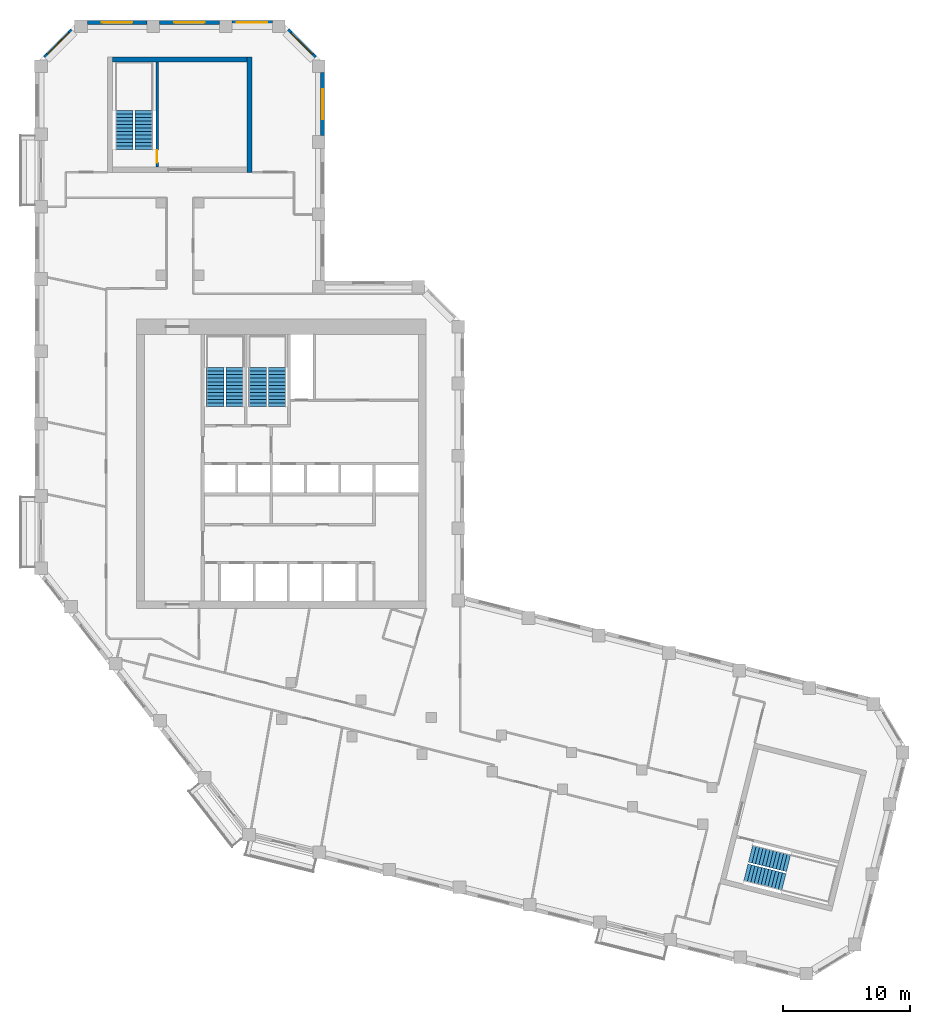
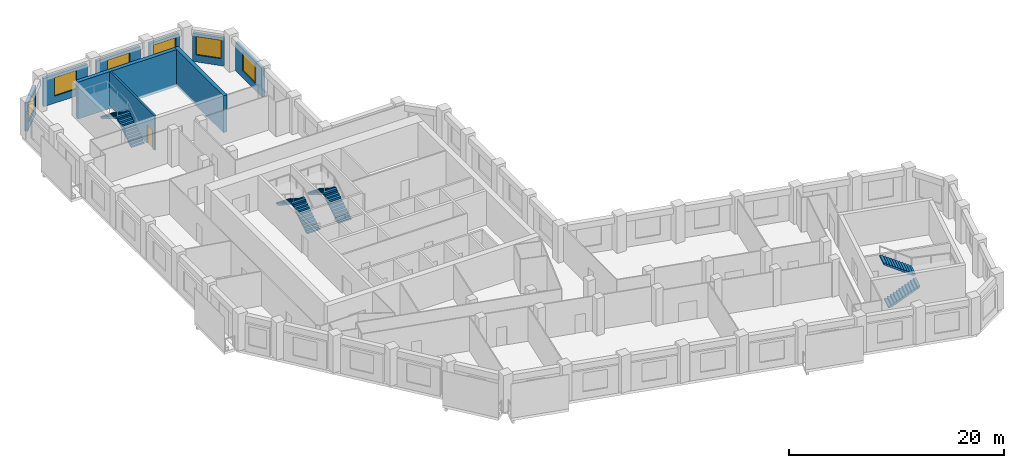
# One storey, part 8 of 9: 9 walls, 8 stair flights, 6 windows, 1 door, 7 openings, 4 elements without a shape of their own.
"""IFC4 building model written with IfcOpenShell, lengths in metres."""

from ifc_helpers import new_model, si_unit, direction, frame, frame_2d, origin, place, context, subcontext, project, spatial, polyline, rectangle, outline, extrude, material, layer, layer_set, type_object, element, fill, aggregate, save


model = new_model("IFC4")

# Units and contexts
model_context = context("Model", 3, precision=1e-05, world=origin(), true_north=direction((0.0, 1.0)))
body_context = subcontext(model_context, "Body", "Model", "MODEL_VIEW")
ifc_project = project(units=[si_unit("LENGTHUNIT", "METRE"), si_unit("AREAUNIT", "SQUARE_METRE"), si_unit("VOLUMEUNIT", "CUBIC_METRE"), si_unit("PLANEANGLEUNIT", "RADIAN"), si_unit("MASSUNIT", "GRAM", prefix="KILO")], contexts=[model_context])

# Site, building, storey
site_placement = place(None, origin())
site = spatial("IfcSite", under=ifc_project, at=site_placement, CompositionType="ELEMENT")
building_placement = place(site_placement, origin())
building = spatial("IfcBuilding", under=site, at=building_placement, Name="Meshkara Civic Tower", CompositionType="ELEMENT")
storey_placement = place(building_placement, frame((0.0, 0.0, 294.0)))
storey = spatial("IfcBuildingStorey", under=building, at=storey_placement, Name="L67", CompositionType="ELEMENT", Elevation=294.0)

# Wall, opening, window
ifc_material_1 = material(Name="Insulated infill panel with bronze anodised aluminium cladding", Category="aluminium")
ifc_layer_1 = layer(ifc_material_1, 0.300048828125)
ifc_layer_set_1 = layer_set([ifc_layer_1], Name="EXTERNAL INFILL WALL 300")
wall_type_1 = type_object("IfcWallType", Name="EXTERNAL INFILL WALL 300", PredefinedType="SOLIDWALL", material=ifc_layer_set_1)
wall_1_placement = place(storey_placement, frame((22.64990234375, 51.35009765625, 0.0), z_axis=(0.0, 0.0, 1.0), x_axis=(0.0, 1.0, 0.0)))
wall_1 = element("IfcWall", 1, at=wall_1_placement, inside=storey, type_object=wall_type_1, Name="External wall", PredefinedType="SOLIDWALL", context=body_context, shape_type="SweptSolid", body=[
    extrude(rectangle(XDim=4.9638671875, YDim=0.300048828125, at=frame_2d((2.48193359375, 0.0))), origin(), (0.0, 0.0, 1.0), 3.199951171875),
])
opening_1_placement = place(wall_1_placement, frame((1.281982421875, 0.0, 0.800048828125)))
opening_1 = element("IfcOpeningElement", 2, at=opening_1_placement, cuts=wall_1, Name="Opening W7", PredefinedType="OPENING", context=body_context, shape_type="SweptSolid", body=[
    extrude(rectangle(XDim=2.39990234375, YDim=2.10009765625, at=frame_2d((1.199951171875, 1.050048828125))), frame((0.0, 0.159912109375, 0.0), z_axis=(0.0, -1.0, 0.0), x_axis=(1.0, 0.0, 0.0)), (0.0, 0.0, 1.0), 0.320068359375),
])
ifc_material_2 = material(Name="Tinted double glazing", Category="glass")
window_type = type_object("IfcWindowType", Name="WINDOW 2400x2100", PartitioningType="DOUBLE_PANEL_VERTICAL", PredefinedType="WINDOW", material=ifc_material_2)
window_1_placement = place(opening_1_placement, origin())
window_1 = element("IfcWindow", 3, at=window_1_placement, inside=storey, type_object=window_type, Name="Window", OverallHeight=2.10009765625, OverallWidth=2.39990234375, PartitioningType="DOUBLE_PANEL_VERTICAL", PredefinedType="WINDOW", context=body_context, shape_type="SweptSolid", body=[
    extrude(rectangle(XDim=2.39990234375, YDim=2.10009765625, at=frame_2d((1.199951171875, 1.050048828125))), frame((0.0, 0.030029296875, 0.0), z_axis=(0.0, -1.0, 0.0), x_axis=(1.0, 0.0, 0.0)), (0.0, 0.0, 1.0), 0.06005859375),
])
fill(opening_1, window_1)

wall_2_placement = place(storey_placement, frame((22.06201171875, 57.52587890625, 0.0), z_axis=(0.0, 0.0, 1.0), x_axis=(-0.707106781187, 0.707106781187, 0.0)))
wall_2 = element("IfcWall", 4, at=wall_2_placement, inside=storey, type_object=wall_type_1, Name="External wall", PredefinedType="SOLIDWALL", context=body_context, shape_type="SweptSolid", body=[
    extrude(rectangle(XDim=3.049072265625, YDim=0.300048828125, at=frame_2d((1.5244140625, 0.0))), origin(), (0.0, 0.0, 1.0), 3.199951171875),
])
opening_2_placement = place(wall_2_placement, frame((0.324951171875, 0.0, 0.800048828125)))
opening_2 = element("IfcOpeningElement", 5, at=opening_2_placement, cuts=wall_2, Name="Opening W7", PredefinedType="OPENING", context=body_context, shape_type="SweptSolid", body=[
    extrude(rectangle(XDim=2.39990234375, YDim=2.10009765625, at=frame_2d((1.199951171875, 1.050048828125))), frame((0.0, 0.159912109375, 0.0), z_axis=(0.0, -1.0, 0.0), x_axis=(1.0, 0.0, 0.0)), (0.0, 0.0, 1.0), 0.320068359375),
])
window_2_placement = place(opening_2_placement, origin())
window_2 = element("IfcWindow", 6, at=window_2_placement, inside=storey, type_object=window_type, Name="Window", OverallHeight=2.10009765625, OverallWidth=2.39990234375, PartitioningType="DOUBLE_PANEL_VERTICAL", PredefinedType="WINDOW", context=body_context, shape_type="SweptSolid", body=[
    extrude(rectangle(XDim=2.39990234375, YDim=2.10009765625, at=frame_2d((1.199951171875, 1.050048828125))), frame((0.0, 0.030029296875, 0.0), z_axis=(0.0, -1.0, 0.0), x_axis=(1.0, 0.0, 0.0)), (0.0, 0.0, 1.0), 0.06005859375),
])
fill(opening_2, window_2)

wall_3_placement = place(storey_placement, frame((18.694091796875, 60.27001953125, 0.0), z_axis=(0.0, 0.0, 1.0), x_axis=(-1.0, 0.0, 0.0)))
wall_3 = element("IfcWall", 7, at=wall_3_placement, inside=storey, type_object=wall_type_1, Name="External wall", PredefinedType="SOLIDWALL", context=body_context, shape_type="SweptSolid", body=[
    extrude(rectangle(XDim=3.18798828125, YDim=0.300048828125, at=frame_2d((1.593994140625, 0.0))), origin(), (0.0, 0.0, 1.0), 3.199951171875),
])
opening_3_placement = place(wall_3_placement, frame((0.39404296875, 0.0, 0.800048828125)))
opening_3 = element("IfcOpeningElement", 8, at=opening_3_placement, cuts=wall_3, Name="Opening W7", PredefinedType="OPENING", context=body_context, shape_type="SweptSolid", body=[
    extrude(rectangle(XDim=2.39990234375, YDim=2.10009765625, at=frame_2d((1.199951171875, 1.050048828125))), frame((0.0, 0.159912109375, 0.0), z_axis=(0.0, -1.0, 0.0), x_axis=(1.0, 0.0, 0.0)), (0.0, 0.0, 1.0), 0.320068359375),
])
window_3_placement = place(opening_3_placement, origin())
window_3 = element("IfcWindow", 9, at=window_3_placement, inside=storey, type_object=window_type, Name="Window", OverallHeight=2.10009765625, OverallWidth=2.39990234375, PartitioningType="DOUBLE_PANEL_VERTICAL", PredefinedType="WINDOW", context=body_context, shape_type="SweptSolid", body=[
    extrude(rectangle(XDim=2.39990234375, YDim=2.10009765625, at=frame_2d((1.199951171875, 1.050048828125))), frame((0.0, 0.030029296875, 0.0), z_axis=(0.0, -1.0, 0.0), x_axis=(1.0, 0.0, 0.0)), (0.0, 0.0, 1.0), 0.06005859375),
])
fill(opening_3, window_3)

wall_4_placement = place(storey_placement, frame((14.506103515625, 60.27001953125, 0.0), z_axis=(0.0, 0.0, 1.0), x_axis=(-1.0, 0.0, 0.0)))
wall_4 = element("IfcWall", 10, at=wall_4_placement, inside=storey, type_object=wall_type_1, Name="External wall", PredefinedType="SOLIDWALL", context=body_context, shape_type="SweptSolid", body=[
    extrude(rectangle(XDim=4.7001953125, YDim=0.300048828125, at=frame_2d((2.35009765625, 0.0))), origin(), (0.0, 0.0, 1.0), 3.199951171875),
])
opening_4_placement = place(wall_4_placement, frame((1.14990234375, 0.0, 0.800048828125)))
opening_4 = element("IfcOpeningElement", 11, at=opening_4_placement, cuts=wall_4, Name="Opening W7", PredefinedType="OPENING", context=body_context, shape_type="SweptSolid", body=[
    extrude(rectangle(XDim=2.39990234375, YDim=2.10009765625, at=frame_2d((1.199951171875, 1.050048828125))), frame((0.0, 0.159912109375, 0.0), z_axis=(0.0, -1.0, 0.0), x_axis=(1.0, 0.0, 0.0)), (0.0, 0.0, 1.0), 0.320068359375),
])
window_4_placement = place(opening_4_placement, origin())
window_4 = element("IfcWindow", 12, at=window_4_placement, inside=storey, type_object=window_type, Name="Window", OverallHeight=2.10009765625, OverallWidth=2.39990234375, PartitioningType="DOUBLE_PANEL_VERTICAL", PredefinedType="WINDOW", context=body_context, shape_type="SweptSolid", body=[
    extrude(rectangle(XDim=2.39990234375, YDim=2.10009765625, at=frame_2d((1.199951171875, 1.050048828125))), frame((0.0, 0.030029296875, 0.0), z_axis=(0.0, -1.0, 0.0), x_axis=(1.0, 0.0, 0.0)), (0.0, 0.0, 1.0), 0.06005859375),
])
fill(opening_4, window_4)

wall_5_placement = place(storey_placement, frame((8.805908203125, 60.27001953125, 0.0), z_axis=(0.0, 0.0, 1.0), x_axis=(-1.0, 0.0, 0.0)))
wall_5 = element("IfcWall", 13, at=wall_5_placement, inside=storey, type_object=wall_type_1, Name="External wall", PredefinedType="SOLIDWALL", context=body_context, shape_type="SweptSolid", body=[
    extrude(rectangle(XDim=4.699951171875, YDim=0.300048828125, at=frame_2d((2.35009765625, 0.0))), origin(), (0.0, 0.0, 1.0), 3.199951171875),
])
opening_5_placement = place(wall_5_placement, frame((1.14990234375, 0.0, 0.800048828125)))
opening_5 = element("IfcOpeningElement", 14, at=opening_5_placement, cuts=wall_5, Name="Opening W7", PredefinedType="OPENING", context=body_context, shape_type="SweptSolid", body=[
    extrude(rectangle(XDim=2.39990234375, YDim=2.10009765625, at=frame_2d((1.199951171875, 1.050048828125))), frame((0.0, 0.159912109375, 0.0), z_axis=(0.0, -1.0, 0.0), x_axis=(1.0, 0.0, 0.0)), (0.0, 0.0, 1.0), 0.320068359375),
])
window_5_placement = place(opening_5_placement, origin())
window_5 = element("IfcWindow", 15, at=window_5_placement, inside=storey, type_object=window_type, Name="Window", OverallHeight=2.10009765625, OverallWidth=2.39990234375, PartitioningType="DOUBLE_PANEL_VERTICAL", PredefinedType="WINDOW", context=body_context, shape_type="SweptSolid", body=[
    extrude(rectangle(XDim=2.39990234375, YDim=2.10009765625, at=frame_2d((1.199951171875, 1.050048828125))), frame((0.0, 0.030029296875, 0.0), z_axis=(0.0, -1.0, 0.0), x_axis=(1.0, 0.0, 0.0)), (0.0, 0.0, 1.0), 0.06005859375),
])
fill(opening_5, window_5)

wall_6_placement = place(storey_placement, frame((2.89404296875, 59.681884765625, 0.0), z_axis=(0.0, 0.0, 1.0), x_axis=(-0.707106781187, -0.707106781187, 0.0)))
wall_6 = element("IfcWall", 16, at=wall_6_placement, inside=storey, type_object=wall_type_1, Name="External wall", PredefinedType="SOLIDWALL", context=body_context, shape_type="SweptSolid", body=[
    extrude(rectangle(XDim=3.049072265625, YDim=0.300048828125, at=frame_2d((1.5244140625, 0.0))), origin(), (0.0, 0.0, 1.0), 3.199951171875),
])
opening_6_placement = place(wall_6_placement, frame((0.324951171875, 0.0, 0.800048828125)))
opening_6 = element("IfcOpeningElement", 17, at=opening_6_placement, cuts=wall_6, Name="Opening W7", PredefinedType="OPENING", context=body_context, shape_type="SweptSolid", body=[
    extrude(rectangle(XDim=2.39990234375, YDim=2.10009765625, at=frame_2d((1.199951171875, 1.050048828125))), frame((0.0, 0.159912109375, 0.0), z_axis=(0.0, -1.0, 0.0), x_axis=(1.0, 0.0, 0.0)), (0.0, 0.0, 1.0), 0.320068359375),
])
window_6_placement = place(opening_6_placement, origin())
window_6 = element("IfcWindow", 18, at=window_6_placement, inside=storey, type_object=window_type, Name="Window", OverallHeight=2.10009765625, OverallWidth=2.39990234375, PartitioningType="DOUBLE_PANEL_VERTICAL", PredefinedType="WINDOW", context=body_context, shape_type="SweptSolid", body=[
    extrude(rectangle(XDim=2.39990234375, YDim=2.10009765625, at=frame_2d((1.199951171875, 1.050048828125))), frame((0.0, 0.030029296875, 0.0), z_axis=(0.0, -1.0, 0.0), x_axis=(1.0, 0.0, 0.0)), (0.0, 0.0, 1.0), 0.06005859375),
])
fill(opening_6, window_6)

# Walls
ifc_material_3 = material(Name="Concrete C60", Category="concrete")
ifc_layer_2 = layer(ifc_material_3, 0.39990234375)
ifc_layer_set_2 = layer_set([ifc_layer_2], Name="End core ring wall 400 C60")
wall_type_2 = type_object("IfcWallType", Name="End core ring wall 400 C60", PredefinedType="SHEAR", material=ifc_layer_set_2)
wall_7_placement = place(storey_placement, frame((16.89990234375, 48.469970703125, -0.300048828125), z_axis=(0.0, 0.0, 1.0), x_axis=(0.0, 1.0, 0.0)))
element("IfcWall", 19, at=wall_7_placement, inside=storey, type_object=wall_type_2, Name="L67-C027", PredefinedType="SHEAR", context=body_context, shape_type="SweptSolid", body=[
    extrude(rectangle(XDim=9.10009765625, YDim=0.39990234375, at=frame_2d((4.550048828125, 0.0))), origin(), (0.0, 0.0, 1.0), 4.199951171875),
])
wall_8_placement = place(storey_placement, frame((6.10009765625, 57.3701171875, -0.300048828125), z_axis=(0.0, 0.0, 1.0), x_axis=(1.0, 0.0, 0.0)))
element("IfcWall", 20, at=wall_8_placement, inside=storey, type_object=wall_type_2, Name="L67-C029", PredefinedType="SHEAR", context=body_context, shape_type="SweptSolid", body=[
    extrude(rectangle(XDim=10.599853515625, YDim=0.39990234375, at=frame_2d((5.2998046875, 0.0))), origin(), (0.0, 0.0, 1.0), 4.199951171875),
])

# Wall, opening, door
ifc_material_4 = material(Name="Concrete C40/50", Category="concrete")
ifc_layer_3 = layer(ifc_material_4, 0.199951171875)
ifc_layer_set_3 = layer_set([ifc_layer_3], Name="Stair enclosure wall 200 C40/50")
wall_type_3 = type_object("IfcWallType", Name="Stair enclosure wall 200 C40/50", PredefinedType="SOLIDWALL", material=ifc_layer_set_3)
wall_9_placement = place(storey_placement, frame((9.60009765625, 48.8701171875, 0.0), z_axis=(0.0, 0.0, 1.0), x_axis=(0.0, 1.0, 0.0)))
wall_9 = element("IfcWall", 21, at=wall_9_placement, inside=storey, type_object=wall_type_3, Name="L67-C030", PredefinedType="SOLIDWALL", context=body_context, shape_type="SweptSolid", body=[
    extrude(rectangle(XDim=8.2998046875, YDim=0.199951171875, at=frame_2d((4.14990234375, 0.0))), origin(), (0.0, 0.0, 1.0), 3.89990234375),
])
opening_7_placement = place(wall_9_placement, frame((0.35009765625, 0.0, 0.0)))
opening_7 = element("IfcOpeningElement", 22, at=opening_7_placement, cuts=wall_9, Name="Opening L67-K101", PredefinedType="OPENING", context=body_context, shape_type="SweptSolid", body=[
    extrude(rectangle(XDim=1.0, YDim=2.10009765625, at=frame_2d((0.5, 1.050048828125))), frame((0.0, 0.10986328125, 0.0), z_axis=(0.0, -1.0, 0.0), x_axis=(1.0, 0.0, 0.0)), (0.0, 0.0, 1.0), 0.219970703125),
])
ifc_material_5 = material(Name="Fire-rated door leaf in steel frame", Category="steel")
door_type = type_object("IfcDoorType", Name="Stair door 1000 EI 120", OperationType="SINGLE_SWING_LEFT", PredefinedType="DOOR", material=ifc_material_5)
door_placement = place(opening_7_placement, origin())
door = element("IfcDoor", 23, at=door_placement, inside=storey, type_object=door_type, Name="L67-K101", OperationType="SINGLE_SWING_RIGHT", OverallHeight=2.10009765625, OverallWidth=1.0, PredefinedType="DOOR", context=body_context, shape_type="SweptSolid", body=[
    extrude(rectangle(XDim=1.0, YDim=2.10009765625, at=frame_2d((0.5, 1.050048828125))), frame((0.0, 0.02490234375, 0.0), z_axis=(0.0, -1.0, 0.0), x_axis=(1.0, 0.0, 0.0)), (0.0, 0.0, 1.0), 0.050048828125),
])
fill(opening_7, door)

# Stair, stair flights
ifc_material_6 = material(Name="Precast concrete C40/50", Category="concrete")
stair_type = type_object("IfcStairType", Name="Exit stair half-turn 24 risers precast", PredefinedType="HALF_TURN_STAIR", material=ifc_material_6)
stair_1_placement = place(storey_placement, origin())
stair_1 = element("IfcStair", 24, at=stair_1_placement, inside=storey, type_object=stair_type, Name="L67 exit stair 1", PredefinedType="HALF_TURN_STAIR")
ifc_material_7 = material(Name="Precast concrete C40/50", Category="concrete")
stair_flight_type = type_object("IfcStairFlightType", Name="Exit stair flight 12 risers precast", PredefinedType="STRAIGHT", material=ifc_material_7)
stair_flight_1_placement = place(storey_placement, frame((15.72509765625, 30.0, 0.0), z_axis=(0.0, 0.0, 1.0), x_axis=(0.0, 1.0, 0.0)))
stair_flight_1 = element("IfcStairFlight", 25, at=stair_flight_1_placement, type_object=stair_flight_type, Name="ST1 flight 1", NumberOfRisers=12, NumberOfTreads=11, PredefinedType="STRAIGHT", RiserHeight=0.175, TreadLength=0.28, context=body_context, shape_type="SweptSolid", body=[
    extrude(outline(polyline([(0.0, 0.0), (0.0, 0.175048828125), (0.280029296875, 0.175048828125), (0.280029296875, 0.35009765625), (0.56005859375, 0.35009765625), (0.56005859375, 0.52490234375), (0.840087890625, 0.52490234375), (0.840087890625, 0.699951171875), (1.1201171875, 0.699951171875), (1.1201171875, 0.875), (1.39990234375, 0.875), (1.39990234375, 1.050048828125), (1.679931640625, 1.050048828125), (1.679931640625, 1.22509765625), (1.9599609375, 1.22509765625), (1.9599609375, 1.39990234375), (2.239990234375, 1.39990234375), (2.239990234375, 1.574951171875), (2.52001953125, 1.574951171875), (2.52001953125, 1.75), (2.800048828125, 1.75), (2.800048828125, 1.925048828125), (3.080078125, 1.925048828125), (3.080078125, 2.10009765625), (3.080078125, 1.748291015625), (0.28271484375, 0.0), (0.0, 0.0)])), frame((0.0, 0.699951171875, 0.0), z_axis=(0.0, -1.0, 0.0), x_axis=(1.0, 0.0, 0.0)), (0.0, 0.0, 1.0), 1.39990234375),
])
stair_flight_2_placement = place(storey_placement, frame((14.175048828125, 33.080078125, 2.10009765625), z_axis=(0.0, 0.0, 1.0), x_axis=(0.0, -1.0, 0.0)))
stair_flight_2 = element("IfcStairFlight", 26, at=stair_flight_2_placement, type_object=stair_flight_type, Name="ST1 flight 2", NumberOfRisers=12, NumberOfTreads=11, PredefinedType="STRAIGHT", RiserHeight=0.175, TreadLength=0.28, context=body_context, shape_type="SweptSolid", body=[
    extrude(outline(polyline([(0.0, 0.0), (0.0, 0.175048828125), (0.280029296875, 0.175048828125), (0.280029296875, 0.35009765625), (0.56005859375, 0.35009765625), (0.56005859375, 0.52490234375), (0.840087890625, 0.52490234375), (0.840087890625, 0.699951171875), (1.1201171875, 0.699951171875), (1.1201171875, 0.875), (1.39990234375, 0.875), (1.39990234375, 1.050048828125), (1.679931640625, 1.050048828125), (1.679931640625, 1.22509765625), (1.9599609375, 1.22509765625), (1.9599609375, 1.39990234375), (2.239990234375, 1.39990234375), (2.239990234375, 1.574951171875), (2.52001953125, 1.574951171875), (2.52001953125, 1.75), (2.800048828125, 1.75), (2.800048828125, 1.925048828125), (3.080078125, 1.925048828125), (3.080078125, 2.10009765625), (3.080078125, 1.748291015625), (0.28271484375, 0.0), (0.0, 0.0)])), frame((0.0, 0.699951171875, 0.0), z_axis=(0.0, -1.0, 0.0), x_axis=(1.0, 0.0, 0.0)), (0.0, 0.0, 1.0), 1.39990234375),
])
aggregate(stair_1, [stair_flight_1, stair_flight_2])

stair_2_placement = place(storey_placement, origin())
stair_2 = element("IfcStair", 27, at=stair_2_placement, inside=storey, type_object=stair_type, Name="L67 exit stair 2", PredefinedType="HALF_TURN_STAIR")
stair_flight_3_placement = place(storey_placement, frame((19.074951171875, 30.0, 0.0), z_axis=(0.0, 0.0, 1.0), x_axis=(0.0, 1.0, 0.0)))
stair_flight_3 = element("IfcStairFlight", 28, at=stair_flight_3_placement, type_object=stair_flight_type, Name="ST2 flight 1", NumberOfRisers=12, NumberOfTreads=11, PredefinedType="STRAIGHT", RiserHeight=0.175, TreadLength=0.28, context=body_context, shape_type="SweptSolid", body=[
    extrude(outline(polyline([(0.0, 0.0), (0.0, 0.175048828125), (0.280029296875, 0.175048828125), (0.280029296875, 0.35009765625), (0.56005859375, 0.35009765625), (0.56005859375, 0.52490234375), (0.840087890625, 0.52490234375), (0.840087890625, 0.699951171875), (1.1201171875, 0.699951171875), (1.1201171875, 0.875), (1.39990234375, 0.875), (1.39990234375, 1.050048828125), (1.679931640625, 1.050048828125), (1.679931640625, 1.22509765625), (1.9599609375, 1.22509765625), (1.9599609375, 1.39990234375), (2.239990234375, 1.39990234375), (2.239990234375, 1.574951171875), (2.52001953125, 1.574951171875), (2.52001953125, 1.75), (2.800048828125, 1.75), (2.800048828125, 1.925048828125), (3.080078125, 1.925048828125), (3.080078125, 2.10009765625), (3.080078125, 1.748291015625), (0.28271484375, 0.0), (0.0, 0.0)])), frame((0.0, 0.699951171875, 0.0), z_axis=(0.0, -1.0, 0.0), x_axis=(1.0, 0.0, 0.0)), (0.0, 0.0, 1.0), 1.39990234375),
])
stair_flight_4_placement = place(storey_placement, frame((17.52490234375, 33.080078125, 2.10009765625), z_axis=(0.0, 0.0, 1.0), x_axis=(0.0, -1.0, 0.0)))
stair_flight_4 = element("IfcStairFlight", 29, at=stair_flight_4_placement, type_object=stair_flight_type, Name="ST2 flight 2", NumberOfRisers=12, NumberOfTreads=11, PredefinedType="STRAIGHT", RiserHeight=0.175, TreadLength=0.28, context=body_context, shape_type="SweptSolid", body=[
    extrude(outline(polyline([(0.0, 0.0), (0.0, 0.175048828125), (0.280029296875, 0.175048828125), (0.280029296875, 0.35009765625), (0.56005859375, 0.35009765625), (0.56005859375, 0.52490234375), (0.840087890625, 0.52490234375), (0.840087890625, 0.699951171875), (1.1201171875, 0.699951171875), (1.1201171875, 0.875), (1.39990234375, 0.875), (1.39990234375, 1.050048828125), (1.679931640625, 1.050048828125), (1.679931640625, 1.22509765625), (1.9599609375, 1.22509765625), (1.9599609375, 1.39990234375), (2.239990234375, 1.39990234375), (2.239990234375, 1.574951171875), (2.52001953125, 1.574951171875), (2.52001953125, 1.75), (2.800048828125, 1.75), (2.800048828125, 1.925048828125), (3.080078125, 1.925048828125), (3.080078125, 2.10009765625), (3.080078125, 1.748291015625), (0.28271484375, 0.0), (0.0, 0.0)])), frame((0.0, 0.699951171875, 0.0), z_axis=(0.0, -1.0, 0.0), x_axis=(1.0, 0.0, 0.0)), (0.0, 0.0, 1.0), 1.39990234375),
])
aggregate(stair_2, [stair_flight_3, stair_flight_4])

stair_3_placement = place(storey_placement, origin())
stair_3 = element("IfcStair", 30, at=stair_3_placement, inside=storey, type_object=stair_type, Name="L67 exit stair A from L65", PredefinedType="HALF_TURN_STAIR")
stair_flight_5_placement = place(storey_placement, frame((8.574951171875, 50.27001953125, 0.0), z_axis=(0.0, 0.0, 1.0), x_axis=(0.0, 1.0, 0.0)))
stair_flight_5 = element("IfcStairFlight", 31, at=stair_flight_5_placement, type_object=stair_flight_type, Name="ESA5 flight 1", NumberOfRisers=12, NumberOfTreads=11, PredefinedType="STRAIGHT", RiserHeight=0.175, TreadLength=0.28, context=body_context, shape_type="SweptSolid", body=[
    extrude(outline(polyline([(0.0, 0.0), (0.0, 0.175048828125), (0.280029296875, 0.175048828125), (0.280029296875, 0.35009765625), (0.56005859375, 0.35009765625), (0.56005859375, 0.52490234375), (0.840087890625, 0.52490234375), (0.840087890625, 0.699951171875), (1.1201171875, 0.699951171875), (1.1201171875, 0.875), (1.39990234375, 0.875), (1.39990234375, 1.050048828125), (1.679931640625, 1.050048828125), (1.679931640625, 1.22509765625), (1.9599609375, 1.22509765625), (1.9599609375, 1.39990234375), (2.239990234375, 1.39990234375), (2.239990234375, 1.574951171875), (2.52001953125, 1.574951171875), (2.52001953125, 1.75), (2.800048828125, 1.75), (2.800048828125, 1.925048828125), (3.080078125, 1.925048828125), (3.080078125, 2.10009765625), (3.080078125, 1.748291015625), (0.28271484375, 0.0), (0.0, 0.0)])), frame((0.0, 0.699951171875, 0.0), z_axis=(0.0, -1.0, 0.0), x_axis=(1.0, 0.0, 0.0)), (0.0, 0.0, 1.0), 1.39990234375),
])
stair_flight_6_placement = place(storey_placement, frame((7.02490234375, 53.35009765625, 2.10009765625), z_axis=(0.0, 0.0, 1.0), x_axis=(0.0, -1.0, 0.0)))
stair_flight_6 = element("IfcStairFlight", 32, at=stair_flight_6_placement, type_object=stair_flight_type, Name="ESA5 flight 2", NumberOfRisers=12, NumberOfTreads=11, PredefinedType="STRAIGHT", RiserHeight=0.175, TreadLength=0.28, context=body_context, shape_type="SweptSolid", body=[
    extrude(outline(polyline([(0.0, 0.0), (0.0, 0.175048828125), (0.280029296875, 0.175048828125), (0.280029296875, 0.35009765625), (0.56005859375, 0.35009765625), (0.56005859375, 0.52490234375), (0.840087890625, 0.52490234375), (0.840087890625, 0.699951171875), (1.1201171875, 0.699951171875), (1.1201171875, 0.875), (1.39990234375, 0.875), (1.39990234375, 1.050048828125), (1.679931640625, 1.050048828125), (1.679931640625, 1.22509765625), (1.9599609375, 1.22509765625), (1.9599609375, 1.39990234375), (2.239990234375, 1.39990234375), (2.239990234375, 1.574951171875), (2.52001953125, 1.574951171875), (2.52001953125, 1.75), (2.800048828125, 1.75), (2.800048828125, 1.925048828125), (3.080078125, 1.925048828125), (3.080078125, 2.10009765625), (3.080078125, 1.748291015625), (0.28271484375, 0.0), (0.0, 0.0)])), frame((0.0, 0.699951171875, 0.0), z_axis=(0.0, -1.0, 0.0), x_axis=(1.0, 0.0, 0.0)), (0.0, 0.0, 1.0), 1.39990234375),
])
aggregate(stair_3, [stair_flight_5, stair_flight_6])

stair_4_placement = place(storey_placement, origin())
stair_4 = element("IfcStair", 33, at=stair_4_placement, inside=storey, type_object=stair_type, Name="L67 exit stair B from L65", PredefinedType="HALF_TURN_STAIR")
stair_flight_7_placement = place(storey_placement, frame((56.0068359375, -6.723876953125, 0.0), z_axis=(0.0, 0.0, 1.0), x_axis=(0.970260066579, -0.242064873955, 0.0)))
stair_flight_7 = element("IfcStairFlight", 34, at=stair_flight_7_placement, type_object=stair_flight_type, Name="ESB5 flight 1", NumberOfRisers=12, NumberOfTreads=11, PredefinedType="STRAIGHT", RiserHeight=0.175, TreadLength=0.28, context=body_context, shape_type="SweptSolid", body=[
    extrude(outline(polyline([(0.0, 0.0), (0.0, 0.175048828125), (0.280029296875, 0.175048828125), (0.280029296875, 0.35009765625), (0.56005859375, 0.35009765625), (0.56005859375, 0.52490234375), (0.840087890625, 0.52490234375), (0.840087890625, 0.699951171875), (1.1201171875, 0.699951171875), (1.1201171875, 0.875), (1.39990234375, 0.875), (1.39990234375, 1.050048828125), (1.679931640625, 1.050048828125), (1.679931640625, 1.22509765625), (1.9599609375, 1.22509765625), (1.9599609375, 1.39990234375), (2.239990234375, 1.39990234375), (2.239990234375, 1.574951171875), (2.52001953125, 1.574951171875), (2.52001953125, 1.75), (2.800048828125, 1.75), (2.800048828125, 1.925048828125), (3.080078125, 1.925048828125), (3.080078125, 2.10009765625), (3.080078125, 1.748291015625), (0.28271484375, 0.0), (0.0, 0.0)])), frame((0.0, 0.699951171875, 0.0), z_axis=(0.0, -1.0, 0.0), x_axis=(1.0, 0.0, 0.0)), (0.0, 0.0, 1.0), 1.39990234375),
])
stair_flight_8_placement = place(storey_placement, frame((59.370361328125, -5.965576171875, 2.10009765625), z_axis=(0.0, 0.0, 1.0), x_axis=(-0.970260066579, 0.242064873955, 0.0)))
stair_flight_8 = element("IfcStairFlight", 35, at=stair_flight_8_placement, type_object=stair_flight_type, Name="ESB5 flight 2", NumberOfRisers=12, NumberOfTreads=11, PredefinedType="STRAIGHT", RiserHeight=0.175, TreadLength=0.28, context=body_context, shape_type="SweptSolid", body=[
    extrude(outline(polyline([(0.0, 0.0), (0.0, 0.175048828125), (0.280029296875, 0.175048828125), (0.280029296875, 0.35009765625), (0.56005859375, 0.35009765625), (0.56005859375, 0.52490234375), (0.840087890625, 0.52490234375), (0.840087890625, 0.699951171875), (1.1201171875, 0.699951171875), (1.1201171875, 0.875), (1.39990234375, 0.875), (1.39990234375, 1.050048828125), (1.679931640625, 1.050048828125), (1.679931640625, 1.22509765625), (1.9599609375, 1.22509765625), (1.9599609375, 1.39990234375), (2.239990234375, 1.39990234375), (2.239990234375, 1.574951171875), (2.52001953125, 1.574951171875), (2.52001953125, 1.75), (2.800048828125, 1.75), (2.800048828125, 1.925048828125), (3.080078125, 1.925048828125), (3.080078125, 2.10009765625), (3.080078125, 1.748291015625), (0.28271484375, 0.0), (0.0, 0.0)])), frame((0.0, 0.699951171875, 0.0), z_axis=(0.0, -1.0, 0.0), x_axis=(1.0, 0.0, 0.0)), (0.0, 0.0, 1.0), 1.39990234375),
])
aggregate(stair_4, [stair_flight_7, stair_flight_8])

save(model, "model.ifc")
